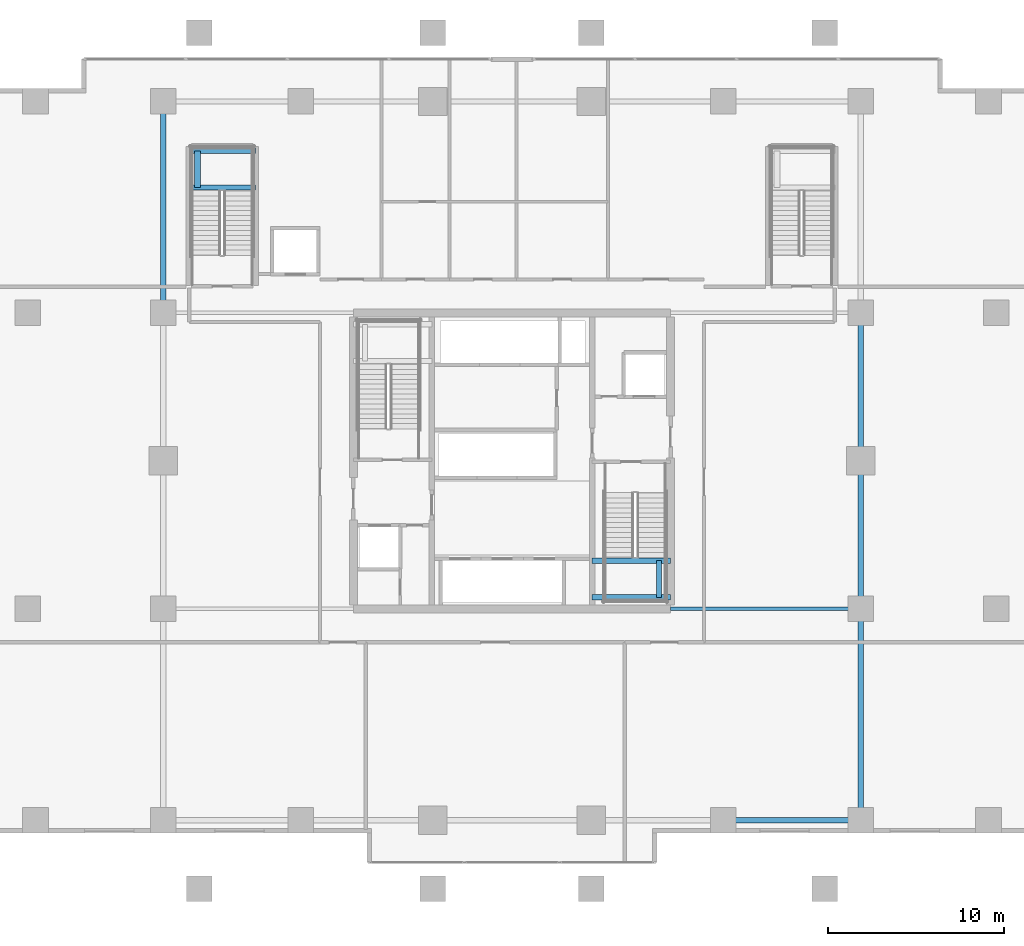
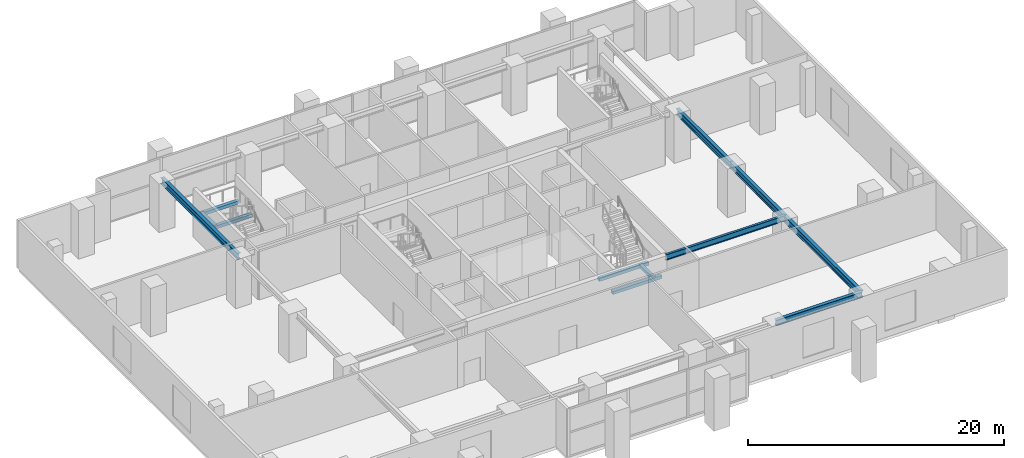
# One storey, part 5 of 20: 12 beams.
"""IFC4 building model written with IfcOpenShell, lengths in metres."""

from ifc_helpers import new_model, si_unit, direction, frame, origin, origin_2d, place, context, subcontext, project, spatial, rectangle, i_section, extrude, source, transform, mapped, material, material_profile, profile_set, type_object, element, save


model = new_model("IFC4")

# Units and contexts
model_context = context("Model", 3, precision=1e-05, world=origin(), true_north=direction((0.0, 1.0)))
body_context = subcontext(model_context, "Body", "Model", "MODEL_VIEW")
ifc_project = project(units=[si_unit("LENGTHUNIT", "METRE"), si_unit("AREAUNIT", "SQUARE_METRE"), si_unit("VOLUMEUNIT", "CUBIC_METRE"), si_unit("PLANEANGLEUNIT", "RADIAN"), si_unit("MASSUNIT", "GRAM", prefix="KILO")], contexts=[model_context])

# Site, building, storey
site_placement = place(None, origin())
site = spatial("IfcSite", under=ifc_project, at=site_placement, CompositionType="ELEMENT")
building_placement = place(site_placement, origin())
building = spatial("IfcBuilding", under=site, at=building_placement, Name="Serunith Strait Residences", CompositionType="ELEMENT")
storey_placement = place(building_placement, frame((0.0, 0.0, 5.5)))
storey = spatial("IfcBuildingStorey", under=building, at=storey_placement, Name="L01", CompositionType="ELEMENT", Elevation=5.5)

# Beams
ifc_material_1 = material(Name="Steel S355J2", Category="steel")
ifc_material_profile_1 = material_profile(ifc_material_1, i_section(OverallWidth=0.300048828125, OverallDepth=0.550048828125, WebThickness=0.014892578125, FlangeThickness=0.029052734375, FilletRadius=0.027099609375, at=origin_2d()), Name="HEB 550")
ifc_profile_set_1 = profile_set([ifc_material_profile_1], Name="Steel S355J2")
beam_type_1 = type_object("IfcBeamType", Name="BM-HEB550", PredefinedType="BEAM", material=ifc_profile_set_1)
shared_shape_1 = source(origin(), body_context, "Body", "SweptSolid", [
    extrude(i_section(OverallWidth=0.300048828125, OverallDepth=0.550048828125, WebThickness=0.014892578125, FlangeThickness=0.029052734375, FilletRadius=0.027099609375, at=origin_2d()), origin(), (0.0, 0.0, 1.0), 7.800048828125),
])
beam_1_placement = place(storey_placement, frame((44.39990234375, 4.800048828125, 4.342041015625), z_axis=(1.0, 0.0, 0.0), x_axis=(0.0, 1.0, 0.0)))
element("IfcBeam", 1, at=beam_1_placement, inside=storey, type_object=beam_type_1, Name="BM-L01-05", PredefinedType="BEAM", context=body_context, shape_type="MappedRepresentation", body=[
    mapped(shared_shape_1, transform((0.0, 0.0, 0.0), scale=1.0)),
])
ifc_material_profile_2 = material_profile(ifc_material_1, i_section(OverallWidth=0.300048828125, OverallDepth=0.60009765625, WebThickness=0.015380859375, FlangeThickness=0.030029296875, FilletRadius=0.027099609375, at=origin_2d()), Name="HEB 600")
ifc_profile_set_2 = profile_set([ifc_material_profile_2], Name="Steel S355J2")
beam_type_2 = type_object("IfcBeamType", Name="BM-HEB600", PredefinedType="BEAM", material=ifc_profile_set_2)
shared_shape_2 = source(origin(), body_context, "Body", "SweptSolid", [
    extrude(i_section(OverallWidth=0.300048828125, OverallDepth=0.60009765625, WebThickness=0.015380859375, FlangeThickness=0.030029296875, FilletRadius=0.027099609375, at=origin_2d()), origin(), (0.0, 0.0, 1.0), 12.0),
])
for number, where, z_axis, x_axis, name in (
    (2, (12.60009765625, 33.60009765625, 4.31689453125), (0.0, 1.0, 0.0), (-1.0, 0.0, 0.0), "BM-L01-14"),
    (3, (52.199951171875, 4.800048828125, 4.31689453125), (0.0, 1.0, 0.0), (-1.0, 0.0, 0.0), "BM-L01-15"),
):
    element("IfcBeam", number, at=place(storey_placement, frame(where, z_axis=z_axis, x_axis=x_axis)), inside=storey, type_object=beam_type_2, Name=name, PredefinedType="BEAM", context=body_context, shape_type="MappedRepresentation", body=[
        mapped(shared_shape_2, transform((0.0, 0.0, 0.0), scale=1.0)),
    ])
shared_shape_3 = source(origin(), body_context, "Body", "SweptSolid", [
    extrude(i_section(OverallWidth=0.300048828125, OverallDepth=0.60009765625, WebThickness=0.015380859375, FlangeThickness=0.030029296875, FilletRadius=0.027099609375, at=origin_2d()), origin(), (0.0, 0.0, 1.0), 8.39990234375),
])
beam_2_placement = place(storey_placement, frame((52.199951171875, 16.800048828125, 4.31689453125), z_axis=(0.0, 1.0, 0.0), x_axis=(-1.0, 0.0, 0.0)))
element("IfcBeam", 4, at=beam_2_placement, inside=storey, type_object=beam_type_2, Name="BM-L01-16", PredefinedType="BEAM", context=body_context, shape_type="MappedRepresentation", body=[
    mapped(shared_shape_3, transform((0.0, 0.0, 0.0), scale=1.0)),
])
shared_shape_4 = source(origin(), body_context, "Body", "SweptSolid", [
    extrude(i_section(OverallWidth=0.300048828125, OverallDepth=0.60009765625, WebThickness=0.015380859375, FlangeThickness=0.030029296875, FilletRadius=0.027099609375, at=origin_2d()), origin(), (0.0, 0.0, 1.0), 8.400146484375),
])
beam_3_placement = place(storey_placement, frame((52.199951171875, 25.199951171875, 4.31689453125), z_axis=(0.0, 1.0, 0.0), x_axis=(-1.0, 0.0, 0.0)))
element("IfcBeam", 5, at=beam_3_placement, inside=storey, type_object=beam_type_2, Name="BM-L01-17", PredefinedType="BEAM", context=body_context, shape_type="MappedRepresentation", body=[
    mapped(shared_shape_4, transform((0.0, 0.0, 0.0), scale=1.0)),
])
ifc_material_profile_3 = material_profile(ifc_material_1, i_section(OverallWidth=0.2099609375, OverallDepth=0.550048828125, WebThickness=0.010986328125, FlangeThickness=0.01708984375, FilletRadius=0.02392578125, at=origin_2d()), Name="IPE 550")
ifc_profile_set_3 = profile_set([ifc_material_profile_3], Name="Steel S355J2")
beam_type_3 = type_object("IfcBeamType", Name="BM-IPE550", PredefinedType="BEAM", material=ifc_profile_set_3)
shared_shape_5 = source(origin(), body_context, "Body", "SweptSolid", [
    extrude(i_section(OverallWidth=0.2099609375, OverallDepth=0.550048828125, WebThickness=0.010986328125, FlangeThickness=0.01708984375, FilletRadius=0.02392578125, at=origin_2d()), origin(), (0.0, 0.0, 1.0), 10.800048828125),
])
beam_4_placement = place(storey_placement, frame((41.39990234375, 16.800048828125, 4.342041015625), z_axis=(1.0, 0.0, 0.0), x_axis=(0.0, 1.0, 0.0)))
element("IfcBeam", 6, at=beam_4_placement, inside=storey, type_object=beam_type_3, Name="BM-L01-20", PredefinedType="BEAM", context=body_context, shape_type="MappedRepresentation", body=[
    mapped(shared_shape_5, transform((0.0, 0.0, 0.0), scale=1.0)),
])
ifc_material_2 = material(Name="Concrete C60/75", Category="concrete")
ifc_material_profile_4 = material_profile(ifc_material_2, rectangle(XDim=0.300048828125, YDim=0.300048828125, at=origin_2d()), Name="RC 300x300")
ifc_profile_set_4 = profile_set([ifc_material_profile_4], Name="Concrete C60/75")
beam_type_4 = type_object("IfcBeamType", Name="BM-LAND-300x300", PredefinedType="BEAM", material=ifc_profile_set_4)
shared_shape_6 = source(origin(), body_context, "Body", "SweptSolid", [
    extrude(rectangle(XDim=0.300048828125, YDim=0.300048828125, at=origin_2d()), origin(), (0.0, 0.0, 1.0), 4.449951171875),
])
for number, where, z_axis, x_axis, name in (
    (7, (36.949951171875, 17.449951171875, 2.14990234375), (1.0, 0.0, 0.0), (0.0, 1.0, 0.0), "L01 ST-2 Landing Support Beam 1"),
    (8, (36.949951171875, 19.530029296875, 2.14990234375), (1.0, 0.0, 0.0), (0.0, 1.0, 0.0), "L01 ST-2 Landing Support Beam 2"),
):
    element("IfcBeam", number, at=place(storey_placement, frame(where, z_axis=z_axis, x_axis=x_axis)), inside=storey, type_object=beam_type_4, Name=name, PredefinedType="BEAM", context=body_context, shape_type="MappedRepresentation", body=[
        mapped(shared_shape_6, transform((0.0, 0.0, 0.0), scale=1.0)),
    ])
shared_shape_7 = source(origin(), body_context, "Body", "SweptSolid", [
    extrude(rectangle(XDim=0.300048828125, YDim=0.300048828125, at=origin_2d()), origin(), (0.0, 0.0, 1.0), 2.080078125),
])
beam_5_placement = place(storey_placement, frame((40.75, 17.449951171875, 2.14990234375), z_axis=(0.0, 1.0, 0.0), x_axis=(-1.0, 0.0, 0.0)))
element("IfcBeam", 9, at=beam_5_placement, inside=storey, type_object=beam_type_4, Name="L01 ST-2 Landing Transverse Tie Beam", PredefinedType="BEAM", context=body_context, shape_type="MappedRepresentation", body=[
    mapped(shared_shape_7, transform((0.0, 0.0, 0.0), scale=1.0)),
])
shared_shape_8 = source(origin(), body_context, "Body", "SweptSolid", [
    extrude(rectangle(XDim=0.300048828125, YDim=0.300048828125, at=origin_2d()), origin(), (0.0, 0.0, 1.0), 3.800048828125),
])
for number, where, z_axis, x_axis, name in (
    (10, (14.050048828125, 40.719970703125, 2.14990234375), (1.0, 0.0, 0.0), (0.0, 1.0, 0.0), "L01 ST-3 Landing Support Beam 1"),
    (11, (14.050048828125, 42.800048828125, 2.14990234375), (1.0, 0.0, 0.0), (0.0, 1.0, 0.0), "L01 ST-3 Landing Support Beam 2"),
):
    element("IfcBeam", number, at=place(storey_placement, frame(where, z_axis=z_axis, x_axis=x_axis)), inside=storey, type_object=beam_type_4, Name=name, PredefinedType="BEAM", context=body_context, shape_type="MappedRepresentation", body=[
        mapped(shared_shape_8, transform((0.0, 0.0, 0.0), scale=1.0)),
    ])
ifc_material_profile_5 = material_profile(ifc_material_2, rectangle(XDim=0.35009765625, YDim=0.39990234375, at=origin_2d()), Name="RC 350x400")
ifc_profile_set_5 = profile_set([ifc_material_profile_5], Name="Concrete C60/75")
beam_type_5 = type_object("IfcBeamType", Name="BM-LAND-350x400", PredefinedType="BEAM", material=ifc_profile_set_5)
shared_shape_9 = source(origin(), body_context, "Body", "SweptSolid", [
    extrude(rectangle(XDim=0.35009765625, YDim=0.39990234375, at=origin_2d()), origin(), (0.0, 0.0, 1.0), 2.080078125),
])
beam_6_placement = place(storey_placement, frame((14.550048828125, 40.719970703125, 2.10009765625), z_axis=(0.0, 1.0, 0.0), x_axis=(-1.0, 0.0, 0.0)))
element("IfcBeam", 12, at=beam_6_placement, inside=storey, type_object=beam_type_5, Name="L01 ST-3 Landing Transverse Trimmer", PredefinedType="BEAM", context=body_context, shape_type="MappedRepresentation", body=[
    mapped(shared_shape_9, transform((0.0, 0.0, 0.0), scale=1.0)),
])

save(model, "model.ifc")
